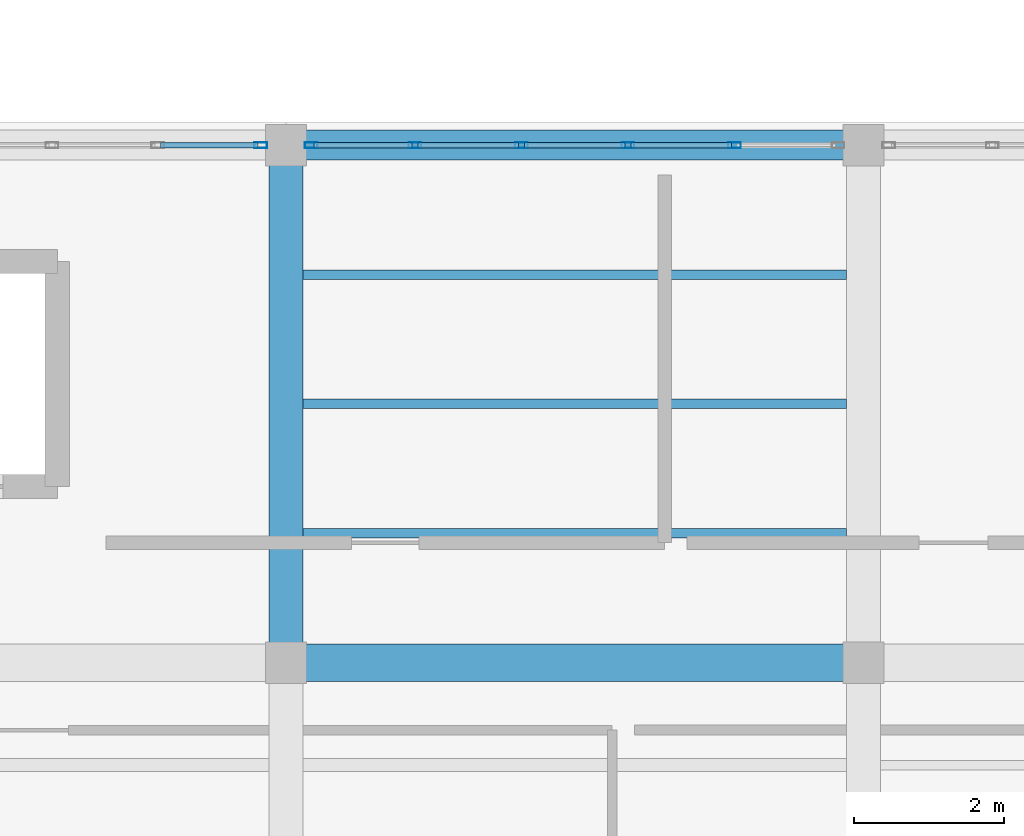
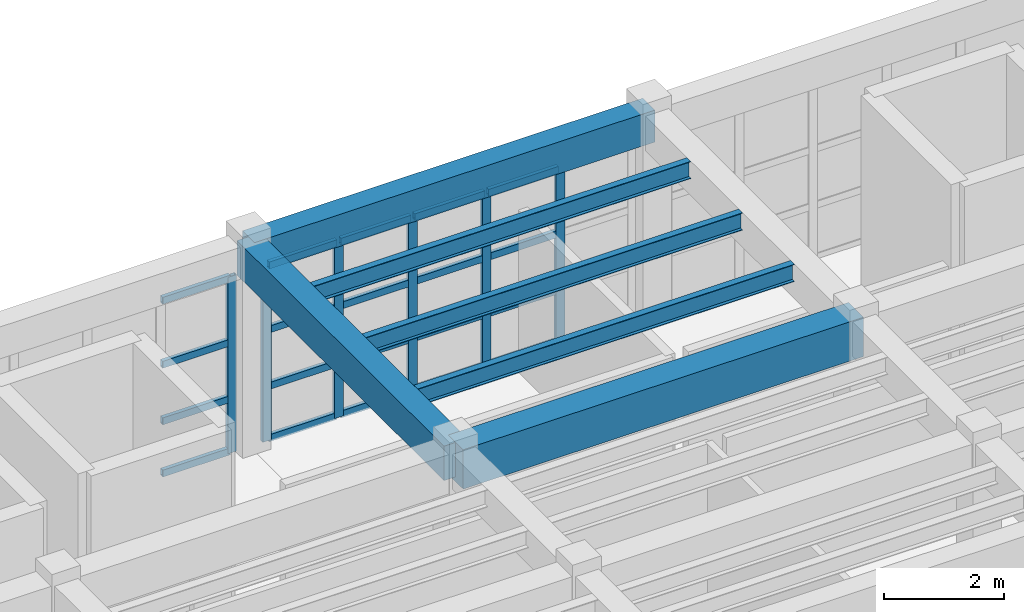
# One storey, part 28 of 85: 26 members, 6 beams, 2 elements without a shape of their own.
"""IFC4 building model written with IfcOpenShell, lengths in metres."""

from ifc_helpers import new_model, si_unit, direction, frame, origin, origin_2d, place, context, subcontext, project, spatial, rectangle, hollow_rectangle, i_section, extrude, material, layer, layer_set, material_profile, profile_set, type_object, element, aggregate, save


model = new_model("IFC4")

# Units and contexts
model_context = context("Model", 3, precision=1e-05, world=origin(), true_north=direction((0.0, 1.0)))
body_context = subcontext(model_context, "Body", "Model", "MODEL_VIEW")
ifc_project = project(units=[si_unit("LENGTHUNIT", "METRE"), si_unit("AREAUNIT", "SQUARE_METRE"), si_unit("VOLUMEUNIT", "CUBIC_METRE"), si_unit("PLANEANGLEUNIT", "RADIAN"), si_unit("MASSUNIT", "GRAM", prefix="KILO")], contexts=[model_context])

# Site, building, storey
site_placement = place(None, origin())
site = spatial("IfcSite", under=ifc_project, at=site_placement, CompositionType="ELEMENT")
building_placement = place(site_placement, origin())
building = spatial("IfcBuilding", under=site, at=building_placement, Name="Candilejo Ridge Gondola Terminal", CompositionType="ELEMENT")
storey_placement = place(building_placement, frame((0.0, 0.0, 4.5)))
storey = spatial("IfcBuildingStorey", under=building, at=storey_placement, Name="L01", CompositionType="ELEMENT", Elevation=4.5)

# Curtain wall, member
ifc_material_1 = material(Name="Anodised aluminium AA 6063-T6", Category="aluminium")
ifc_layer_1 = layer(ifc_material_1, 0.169921875)
ifc_layer_set_1 = layer_set([ifc_layer_1], Name="ARC-CW-GALLERY-3200-705X359")
curtain_wall_type_1 = type_object("IfcCurtainWallType", Name="ARC-CW-GALLERY-3200-705X359", PredefinedType="NOTDEFINED", material=ifc_layer_set_1)
curtain_wall_1_placement = place(storey_placement, origin())
curtain_wall_1 = element("IfcCurtainWall", 1, at=curtain_wall_1_placement, inside=storey, type_object=curtain_wall_type_1, Name="Curtain wall V3 L01-074", PredefinedType="NOTDEFINED")
ifc_material_2 = material(Name="Anodised aluminium AA 6063-T6", Category="aluminium")
ifc_material_profile_1 = material_profile(ifc_material_2, hollow_rectangle(XDim=0.074951171875, YDim=0.169921875, WallThickness=0.00390625, at=origin_2d()))
ifc_profile_set_1 = profile_set([ifc_material_profile_1], Name="Anodised aluminium AA 6063-T6")
member_type_1 = type_object("IfcMemberType", Name="ARC-CW-MULLION", PredefinedType="MULLION", material=ifc_profile_set_1)
member_1_placement = place(storey_placement, frame((109.512451171875, 36.699951171875, 0.0), z_axis=(0.0, 0.0, 1.0), x_axis=(0.0, 1.0, 0.0)))
member_1 = element("IfcMember", 2, at=member_1_placement, type_object=member_type_1, Name="CW-70X35 mullion 6", PredefinedType="MULLION", context=body_context, shape_type="SweptSolid", body=[
    extrude(hollow_rectangle(XDim=0.074951171875, YDim=0.169921875, WallThickness=0.00390625, at=origin_2d()), origin(), (0.0, 0.0, 1.0), 3.590087890625),
])

# Curtain wall, members
ifc_material_3 = material(Name="Anodised aluminium AA 6063-T6", Category="aluminium")
ifc_layer_2 = layer(ifc_material_3, 0.169921875)
ifc_layer_set_2 = layer_set([ifc_layer_2], Name="ARC-CW-GALLERY-3200-710X359")
curtain_wall_type_2 = type_object("IfcCurtainWallType", Name="ARC-CW-GALLERY-3200-710X359", PredefinedType="NOTDEFINED", material=ifc_layer_set_2)
curtain_wall_2_placement = place(storey_placement, origin())
curtain_wall_2 = element("IfcCurtainWall", 3, at=curtain_wall_2_placement, inside=storey, type_object=curtain_wall_type_2, Name="Curtain wall V3 L01-076", PredefinedType="NOTDEFINED")
member_2_placement = place(storey_placement, frame((110.1875, 36.699951171875, 0.0), z_axis=(0.0, 0.0, 1.0), x_axis=(0.0, 1.0, 0.0)))
member_2 = element("IfcMember", 4, at=member_2_placement, type_object=member_type_1, Name="CW-71X35 mullion 1", PredefinedType="MULLION", context=body_context, shape_type="SweptSolid", body=[
    extrude(hollow_rectangle(XDim=0.074951171875, YDim=0.169921875, WallThickness=0.00390625, at=origin_2d()), origin(), (0.0, 0.0, 1.0), 3.590087890625),
])
member_3_placement = place(storey_placement, frame((111.570068359375, 36.699951171875, 0.0), z_axis=(0.0, 0.0, 1.0), x_axis=(0.0, 1.0, 0.0)))
member_3 = element("IfcMember", 5, at=member_3_placement, type_object=member_type_1, Name="CW-71X35 mullion 2", PredefinedType="MULLION", context=body_context, shape_type="SweptSolid", body=[
    extrude(hollow_rectangle(XDim=0.074951171875, YDim=0.169921875, WallThickness=0.00390625, at=origin_2d()), origin(), (0.0, 0.0, 1.0), 3.590087890625),
])
member_4_placement = place(storey_placement, frame((112.989990234375, 36.699951171875, 0.0), z_axis=(0.0, 0.0, 1.0), x_axis=(0.0, 1.0, 0.0)))
member_4 = element("IfcMember", 6, at=member_4_placement, type_object=member_type_1, Name="CW-71X35 mullion 3", PredefinedType="MULLION", context=body_context, shape_type="SweptSolid", body=[
    extrude(hollow_rectangle(XDim=0.074951171875, YDim=0.169921875, WallThickness=0.00390625, at=origin_2d()), origin(), (0.0, 0.0, 1.0), 3.590087890625),
])
member_5_placement = place(storey_placement, frame((114.409912109375, 36.699951171875, 0.0), z_axis=(0.0, 0.0, 1.0), x_axis=(0.0, 1.0, 0.0)))
member_5 = element("IfcMember", 7, at=member_5_placement, type_object=member_type_1, Name="CW-71X35 mullion 4", PredefinedType="MULLION", context=body_context, shape_type="SweptSolid", body=[
    extrude(hollow_rectangle(XDim=0.074951171875, YDim=0.169921875, WallThickness=0.00390625, at=origin_2d()), origin(), (0.0, 0.0, 1.0), 3.590087890625),
])
member_6_placement = place(storey_placement, frame((115.830078125, 36.699951171875, 0.0), z_axis=(0.0, 0.0, 1.0), x_axis=(0.0, 1.0, 0.0)))
member_6 = element("IfcMember", 8, at=member_6_placement, type_object=member_type_1, Name="CW-71X35 mullion 5", PredefinedType="MULLION", context=body_context, shape_type="SweptSolid", body=[
    extrude(hollow_rectangle(XDim=0.074951171875, YDim=0.169921875, WallThickness=0.00390625, at=origin_2d()), origin(), (0.0, 0.0, 1.0), 3.590087890625),
])

# Member
ifc_material_4 = material(Name="Anodised aluminium AA 6063-T6", Category="aluminium")
ifc_material_profile_2 = material_profile(ifc_material_4, hollow_rectangle(XDim=0.074951171875, YDim=0.139892578125, WallThickness=0.00390625, at=origin_2d()))
ifc_profile_set_2 = profile_set([ifc_material_profile_2], Name="Anodised aluminium AA 6063-T6")
member_type_2 = type_object("IfcMemberType", Name="ARC-CW-TRANSOM", PredefinedType="USERDEFINED", material=ifc_profile_set_2)
member_7_placement = place(storey_placement, frame((108.177490234375, 36.699951171875, 0.03759765625), z_axis=(1.0, 0.0, 0.0), x_axis=(0.0, 1.0, 0.0)))
member_7 = element("IfcMember", 9, at=member_7_placement, type_object=member_type_2, Name="CW-70X35 transom 5.1", ObjectType="TRANSOM", PredefinedType="USERDEFINED", context=body_context, shape_type="SweptSolid", body=[
    extrude(hollow_rectangle(XDim=0.074951171875, YDim=0.139892578125, WallThickness=0.00390625, at=origin_2d()), origin(), (0.0, 0.0, 1.0), 1.297607421875),
])

member_8_placement = place(storey_placement, frame((108.177490234375, 36.699951171875, 1.10009765625), z_axis=(1.0, 0.0, 0.0), x_axis=(0.0, 1.0, 0.0)))
member_8 = element("IfcMember", 10, at=member_8_placement, type_object=member_type_2, Name="CW-70X35 transom 5.2", ObjectType="TRANSOM", PredefinedType="USERDEFINED", context=body_context, shape_type="SweptSolid", body=[
    extrude(hollow_rectangle(XDim=0.074951171875, YDim=0.139892578125, WallThickness=0.00390625, at=origin_2d()), origin(), (0.0, 0.0, 1.0), 1.297607421875),
])

member_9_placement = place(storey_placement, frame((108.177490234375, 36.699951171875, 2.25), z_axis=(1.0, 0.0, 0.0), x_axis=(0.0, 1.0, 0.0)))
member_9 = element("IfcMember", 11, at=member_9_placement, type_object=member_type_2, Name="CW-70X35 transom 5.3", ObjectType="TRANSOM", PredefinedType="USERDEFINED", context=body_context, shape_type="SweptSolid", body=[
    extrude(hollow_rectangle(XDim=0.074951171875, YDim=0.139892578125, WallThickness=0.00390625, at=origin_2d()), origin(), (0.0, 0.0, 1.0), 1.297607421875),
])

member_10_placement = place(storey_placement, frame((108.177490234375, 36.699951171875, 3.552490234375), z_axis=(1.0, 0.0, 0.0), x_axis=(0.0, 1.0, 0.0)))
member_10 = element("IfcMember", 12, at=member_10_placement, type_object=member_type_2, Name="CW-70X35 transom 5.4", ObjectType="TRANSOM", PredefinedType="USERDEFINED", context=body_context, shape_type="SweptSolid", body=[
    extrude(hollow_rectangle(XDim=0.074951171875, YDim=0.139892578125, WallThickness=0.00390625, at=origin_2d()), origin(), (0.0, 0.0, 1.0), 1.297607421875),
])

aggregate(curtain_wall_1, [member_1, member_7, member_8, member_9, member_10])

member_11_placement = place(storey_placement, frame((110.22509765625, 36.699951171875, 0.03759765625), z_axis=(1.0, 0.0, 0.0), x_axis=(0.0, 1.0, 0.0)))
member_11 = element("IfcMember", 13, at=member_11_placement, type_object=member_type_2, Name="CW-71X35 transom 1.1", ObjectType="TRANSOM", PredefinedType="USERDEFINED", context=body_context, shape_type="SweptSolid", body=[
    extrude(hollow_rectangle(XDim=0.074951171875, YDim=0.139892578125, WallThickness=0.00390625, at=origin_2d()), origin(), (0.0, 0.0, 1.0), 1.307373046875),
])

member_12_placement = place(storey_placement, frame((110.22509765625, 36.699951171875, 1.10009765625), z_axis=(1.0, 0.0, 0.0), x_axis=(0.0, 1.0, 0.0)))
member_12 = element("IfcMember", 14, at=member_12_placement, type_object=member_type_2, Name="CW-71X35 transom 1.2", ObjectType="TRANSOM", PredefinedType="USERDEFINED", context=body_context, shape_type="SweptSolid", body=[
    extrude(hollow_rectangle(XDim=0.074951171875, YDim=0.139892578125, WallThickness=0.00390625, at=origin_2d()), origin(), (0.0, 0.0, 1.0), 1.307373046875),
])

member_13_placement = place(storey_placement, frame((110.22509765625, 36.699951171875, 2.25), z_axis=(1.0, 0.0, 0.0), x_axis=(0.0, 1.0, 0.0)))
member_13 = element("IfcMember", 15, at=member_13_placement, type_object=member_type_2, Name="CW-71X35 transom 1.3", ObjectType="TRANSOM", PredefinedType="USERDEFINED", context=body_context, shape_type="SweptSolid", body=[
    extrude(hollow_rectangle(XDim=0.074951171875, YDim=0.139892578125, WallThickness=0.00390625, at=origin_2d()), origin(), (0.0, 0.0, 1.0), 1.307373046875),
])

member_14_placement = place(storey_placement, frame((110.22509765625, 36.699951171875, 3.552490234375), z_axis=(1.0, 0.0, 0.0), x_axis=(0.0, 1.0, 0.0)))
member_14 = element("IfcMember", 16, at=member_14_placement, type_object=member_type_2, Name="CW-71X35 transom 1.4", ObjectType="TRANSOM", PredefinedType="USERDEFINED", context=body_context, shape_type="SweptSolid", body=[
    extrude(hollow_rectangle(XDim=0.074951171875, YDim=0.139892578125, WallThickness=0.00390625, at=origin_2d()), origin(), (0.0, 0.0, 1.0), 1.307373046875),
])

member_15_placement = place(storey_placement, frame((111.607421875, 36.699951171875, 0.03759765625), z_axis=(1.0, 0.0, 0.0), x_axis=(0.0, 1.0, 0.0)))
member_15 = element("IfcMember", 17, at=member_15_placement, type_object=member_type_2, Name="CW-71X35 transom 2.1", ObjectType="TRANSOM", PredefinedType="USERDEFINED", context=body_context, shape_type="SweptSolid", body=[
    extrude(hollow_rectangle(XDim=0.074951171875, YDim=0.139892578125, WallThickness=0.00390625, at=origin_2d()), origin(), (0.0, 0.0, 1.0), 1.344970703125),
])

member_16_placement = place(storey_placement, frame((111.607421875, 36.699951171875, 1.10009765625), z_axis=(1.0, 0.0, 0.0), x_axis=(0.0, 1.0, 0.0)))
member_16 = element("IfcMember", 18, at=member_16_placement, type_object=member_type_2, Name="CW-71X35 transom 2.2", ObjectType="TRANSOM", PredefinedType="USERDEFINED", context=body_context, shape_type="SweptSolid", body=[
    extrude(hollow_rectangle(XDim=0.074951171875, YDim=0.139892578125, WallThickness=0.00390625, at=origin_2d()), origin(), (0.0, 0.0, 1.0), 1.344970703125),
])

member_17_placement = place(storey_placement, frame((111.607421875, 36.699951171875, 2.25), z_axis=(1.0, 0.0, 0.0), x_axis=(0.0, 1.0, 0.0)))
member_17 = element("IfcMember", 19, at=member_17_placement, type_object=member_type_2, Name="CW-71X35 transom 2.3", ObjectType="TRANSOM", PredefinedType="USERDEFINED", context=body_context, shape_type="SweptSolid", body=[
    extrude(hollow_rectangle(XDim=0.074951171875, YDim=0.139892578125, WallThickness=0.00390625, at=origin_2d()), origin(), (0.0, 0.0, 1.0), 1.344970703125),
])

member_18_placement = place(storey_placement, frame((111.607421875, 36.699951171875, 3.552490234375), z_axis=(1.0, 0.0, 0.0), x_axis=(0.0, 1.0, 0.0)))
member_18 = element("IfcMember", 20, at=member_18_placement, type_object=member_type_2, Name="CW-71X35 transom 2.4", ObjectType="TRANSOM", PredefinedType="USERDEFINED", context=body_context, shape_type="SweptSolid", body=[
    extrude(hollow_rectangle(XDim=0.074951171875, YDim=0.139892578125, WallThickness=0.00390625, at=origin_2d()), origin(), (0.0, 0.0, 1.0), 1.344970703125),
])

member_19_placement = place(storey_placement, frame((113.027587890625, 36.699951171875, 0.03759765625), z_axis=(1.0, 0.0, 0.0), x_axis=(0.0, 1.0, 0.0)))
member_19 = element("IfcMember", 21, at=member_19_placement, type_object=member_type_2, Name="CW-71X35 transom 3.1", ObjectType="TRANSOM", PredefinedType="USERDEFINED", context=body_context, shape_type="SweptSolid", body=[
    extrude(hollow_rectangle(XDim=0.074951171875, YDim=0.139892578125, WallThickness=0.00390625, at=origin_2d()), origin(), (0.0, 0.0, 1.0), 1.344970703125),
])

member_20_placement = place(storey_placement, frame((113.027587890625, 36.699951171875, 1.10009765625), z_axis=(1.0, 0.0, 0.0), x_axis=(0.0, 1.0, 0.0)))
member_20 = element("IfcMember", 22, at=member_20_placement, type_object=member_type_2, Name="CW-71X35 transom 3.2", ObjectType="TRANSOM", PredefinedType="USERDEFINED", context=body_context, shape_type="SweptSolid", body=[
    extrude(hollow_rectangle(XDim=0.074951171875, YDim=0.139892578125, WallThickness=0.00390625, at=origin_2d()), origin(), (0.0, 0.0, 1.0), 1.344970703125),
])

member_21_placement = place(storey_placement, frame((113.027587890625, 36.699951171875, 2.25), z_axis=(1.0, 0.0, 0.0), x_axis=(0.0, 1.0, 0.0)))
member_21 = element("IfcMember", 23, at=member_21_placement, type_object=member_type_2, Name="CW-71X35 transom 3.3", ObjectType="TRANSOM", PredefinedType="USERDEFINED", context=body_context, shape_type="SweptSolid", body=[
    extrude(hollow_rectangle(XDim=0.074951171875, YDim=0.139892578125, WallThickness=0.00390625, at=origin_2d()), origin(), (0.0, 0.0, 1.0), 1.344970703125),
])

member_22_placement = place(storey_placement, frame((113.027587890625, 36.699951171875, 3.552490234375), z_axis=(1.0, 0.0, 0.0), x_axis=(0.0, 1.0, 0.0)))
member_22 = element("IfcMember", 24, at=member_22_placement, type_object=member_type_2, Name="CW-71X35 transom 3.4", ObjectType="TRANSOM", PredefinedType="USERDEFINED", context=body_context, shape_type="SweptSolid", body=[
    extrude(hollow_rectangle(XDim=0.074951171875, YDim=0.139892578125, WallThickness=0.00390625, at=origin_2d()), origin(), (0.0, 0.0, 1.0), 1.344970703125),
])

member_23_placement = place(storey_placement, frame((114.447509765625, 36.699951171875, 0.03759765625), z_axis=(1.0, 0.0, 0.0), x_axis=(0.0, 1.0, 0.0)))
member_23 = element("IfcMember", 25, at=member_23_placement, type_object=member_type_2, Name="CW-71X35 transom 4.1", ObjectType="TRANSOM", PredefinedType="USERDEFINED", context=body_context, shape_type="SweptSolid", body=[
    extrude(hollow_rectangle(XDim=0.074951171875, YDim=0.139892578125, WallThickness=0.00390625, at=origin_2d()), origin(), (0.0, 0.0, 1.0), 1.344970703125),
])

member_24_placement = place(storey_placement, frame((114.447509765625, 36.699951171875, 1.10009765625), z_axis=(1.0, 0.0, 0.0), x_axis=(0.0, 1.0, 0.0)))
member_24 = element("IfcMember", 26, at=member_24_placement, type_object=member_type_2, Name="CW-71X35 transom 4.2", ObjectType="TRANSOM", PredefinedType="USERDEFINED", context=body_context, shape_type="SweptSolid", body=[
    extrude(hollow_rectangle(XDim=0.074951171875, YDim=0.139892578125, WallThickness=0.00390625, at=origin_2d()), origin(), (0.0, 0.0, 1.0), 1.344970703125),
])

member_25_placement = place(storey_placement, frame((114.447509765625, 36.699951171875, 2.25), z_axis=(1.0, 0.0, 0.0), x_axis=(0.0, 1.0, 0.0)))
member_25 = element("IfcMember", 27, at=member_25_placement, type_object=member_type_2, Name="CW-71X35 transom 4.3", ObjectType="TRANSOM", PredefinedType="USERDEFINED", context=body_context, shape_type="SweptSolid", body=[
    extrude(hollow_rectangle(XDim=0.074951171875, YDim=0.139892578125, WallThickness=0.00390625, at=origin_2d()), origin(), (0.0, 0.0, 1.0), 1.344970703125),
])

member_26_placement = place(storey_placement, frame((114.447509765625, 36.699951171875, 3.552490234375), z_axis=(1.0, 0.0, 0.0), x_axis=(0.0, 1.0, 0.0)))
member_26 = element("IfcMember", 28, at=member_26_placement, type_object=member_type_2, Name="CW-71X35 transom 4.4", ObjectType="TRANSOM", PredefinedType="USERDEFINED", context=body_context, shape_type="SweptSolid", body=[
    extrude(hollow_rectangle(XDim=0.074951171875, YDim=0.139892578125, WallThickness=0.00390625, at=origin_2d()), origin(), (0.0, 0.0, 1.0), 1.344970703125),
])

aggregate(curtain_wall_2, [member_2, member_3, member_4, member_5, member_6, member_11, member_12, member_13, member_14, member_15, member_16, member_17, member_18, member_19, member_20, member_21, member_22, member_23, member_24, member_25, member_26])

# Beams
ifc_material_5 = material(Name="Concrete f'c 35 MPa (C35/45)", Category="concrete")
ifc_material_profile_3 = material_profile(ifc_material_5, rectangle(XDim=0.449951171875, YDim=0.699951171875, at=origin_2d()))
ifc_profile_set_3 = profile_set([ifc_material_profile_3], Name="Concrete f'c 35 MPa (C35/45)")
beam_type_1 = type_object("IfcBeamType", Name="STR-BM-RC450X700", PredefinedType="BEAM", material=ifc_profile_set_3)
beam_1_placement = place(storey_placement, frame((109.85009765625, 29.800048828125, 3.89990234375), z_axis=(0.0, 1.0, 0.0), x_axis=(-1.0, 0.0, 0.0)))
element("IfcBeam", 29, at=beam_1_placement, inside=storey, type_object=beam_type_1, Name="Beam Y V3 L01 Y06-Y07@X17", PredefinedType="BEAM", context=body_context, shape_type="SweptSolid", body=[
    extrude(rectangle(XDim=0.449951171875, YDim=0.699951171875, at=origin_2d()), origin(), (0.0, 0.0, 1.0), 6.89990234375),
])
ifc_material_6 = material(Name="Concrete f'c 35 MPa (C35/45)", Category="concrete")
ifc_material_profile_4 = material_profile(ifc_material_6, rectangle(XDim=0.5, YDim=0.800048828125, at=origin_2d()))
ifc_profile_set_4 = profile_set([ifc_material_profile_4], Name="Concrete f'c 35 MPa (C35/45)")
beam_type_2 = type_object("IfcBeamType", Name="STR-BM-RC500X800", PredefinedType="BEAM", material=ifc_profile_set_4)
beam_2_placement = place(storey_placement, frame((109.85009765625, 29.800048828125, 3.85009765625), z_axis=(1.0, 0.0, 0.0), x_axis=(0.0, 1.0, 0.0)))
element("IfcBeam", 30, at=beam_2_placement, inside=storey, type_object=beam_type_2, Name="Beam X V3 L01 X17-X18@Y06", PredefinedType="BEAM", context=body_context, shape_type="SweptSolid", body=[
    extrude(rectangle(XDim=0.5, YDim=0.800048828125, at=origin_2d()), origin(), (0.0, 0.0, 1.0), 7.699951171875),
])
ifc_material_7 = material(Name="Steel ASTM A992 Grade 50", Category="steel")
ifc_material_profile_5 = material_profile(ifc_material_7, i_section(OverallWidth=0.1279296875, OverallDepth=0.35302734375, WebThickness=0.006591796875, FlangeThickness=0.0107421875, at=origin_2d()))
ifc_profile_set_5 = profile_set([ifc_material_profile_5], Name="Steel ASTM A992 Grade 50")
beam_type_3 = type_object("IfcBeamType", Name="STR-JST-W360X39", PredefinedType="JOIST", material=ifc_profile_set_5)
for number, where, z_axis, x_axis, name in (
    (31, (110.074951171875, 31.52490234375, 4.073486328125), (1.0, 0.0, 0.0), (0.0, 1.0, 0.0), "Composite joist V3 L01-0498"),
    (32, (110.074951171875, 33.25, 4.073486328125), (1.0, 0.0, 0.0), (0.0, 1.0, 0.0), "Composite joist V3 L01-0499"),
    (33, (110.074951171875, 34.97509765625, 4.073486328125), (1.0, 0.0, 0.0), (0.0, 1.0, 0.0), "Composite joist V3 L01-0500"),
):
    element("IfcBeam", number, at=place(storey_placement, frame(where, z_axis=z_axis, x_axis=x_axis)), inside=storey, type_object=beam_type_3, Name=name, PredefinedType="JOIST", context=body_context, shape_type="SweptSolid", body=[
        extrude(i_section(OverallWidth=0.1279296875, OverallDepth=0.35302734375, WebThickness=0.006591796875, FlangeThickness=0.0107421875, at=origin_2d()), origin(), (0.0, 0.0, 1.0), 7.25),
    ])
ifc_material_8 = material(Name="Concrete f'c 35 MPa (C35/45)", Category="concrete")
ifc_material_profile_6 = material_profile(ifc_material_8, rectangle(XDim=0.39990234375, YDim=0.64990234375, at=origin_2d()))
ifc_profile_set_6 = profile_set([ifc_material_profile_6], Name="Concrete f'c 35 MPa (C35/45)")
beam_type_4 = type_object("IfcBeamType", Name="STR-SPN-RC400X650", PredefinedType="SPANDREL", material=ifc_profile_set_6)
beam_3_placement = place(storey_placement, frame((109.85009765625, 36.699951171875, 3.925048828125), z_axis=(1.0, 0.0, 0.0), x_axis=(0.0, 1.0, 0.0)))
element("IfcBeam", 34, at=beam_3_placement, inside=storey, type_object=beam_type_4, Name="Beam X V3 L01 X17-X18@Y07", PredefinedType="SPANDREL", context=body_context, shape_type="SweptSolid", body=[
    extrude(rectangle(XDim=0.39990234375, YDim=0.64990234375, at=origin_2d()), origin(), (0.0, 0.0, 1.0), 7.699951171875),
])

save(model, "model.ifc")
